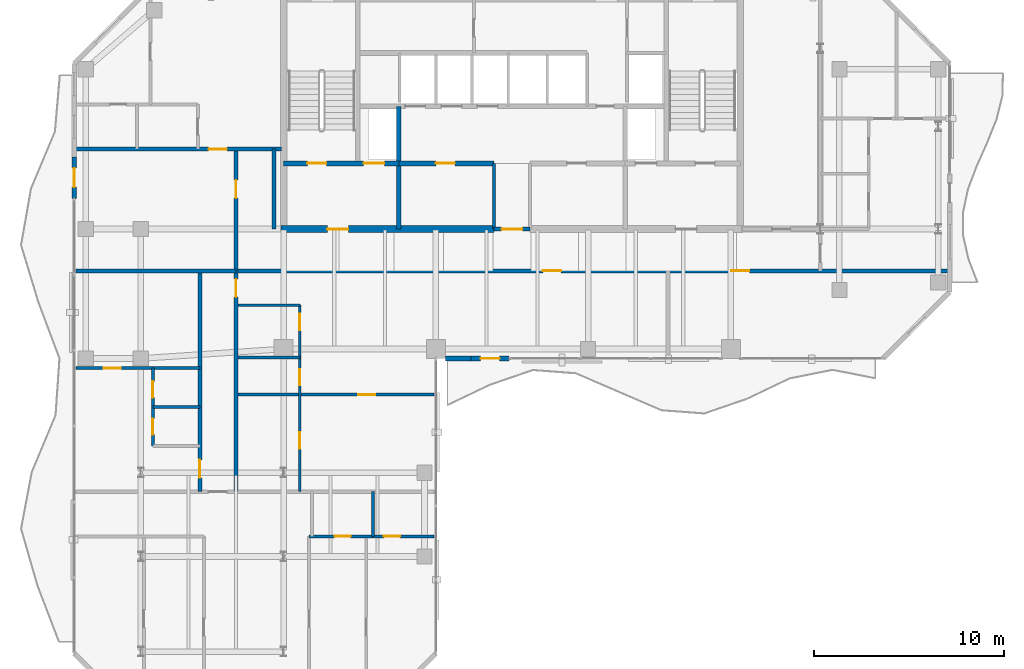
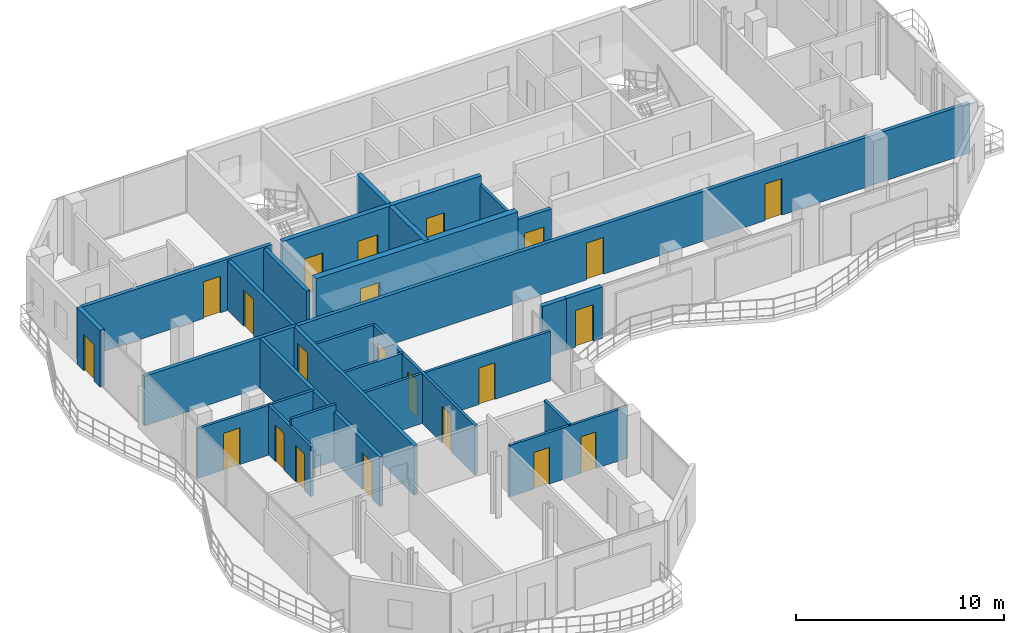
# One storey, part 18 of 23: 24 walls, 22 doors, 22 openings.
"""IFC4 building model written with IfcOpenShell, lengths in metres."""

from ifc_helpers import new_model, si_unit, direction, frame, frame_2d, origin, place, context, subcontext, project, spatial, rectangle, extrude, material, layer, layer_set, type_object, element, fill, save


model = new_model("IFC4")

# Units and contexts
model_context = context("Model", 3, precision=1e-05, world=origin(), true_north=direction((0.0, 1.0)))
body_context = subcontext(model_context, "Body", "Model", "MODEL_VIEW")
ifc_project = project(units=[si_unit("LENGTHUNIT", "METRE"), si_unit("AREAUNIT", "SQUARE_METRE"), si_unit("VOLUMEUNIT", "CUBIC_METRE"), si_unit("PLANEANGLEUNIT", "RADIAN"), si_unit("MASSUNIT", "GRAM", prefix="KILO")], contexts=[model_context])

# Site, building, storey
site_placement = place(None, origin())
site = spatial("IfcSite", under=ifc_project, at=site_placement, CompositionType="ELEMENT")
building_placement = place(site_placement, origin())
building = spatial("IfcBuilding", under=site, at=building_placement, Name="Catumbela Crestline Tower", CompositionType="ELEMENT")
storey_placement = place(building_placement, frame((0.0, 0.0, 168.6)))
storey = spatial("IfcBuildingStorey", under=building, at=storey_placement, Name="L43", CompositionType="ELEMENT", Elevation=168.6)

# Wall
ifc_material_1 = material(Name="Concrete C50/60", Category="concrete")
ifc_layer_1 = layer(ifc_material_1, 0.25, Name="Concrete C50/60")
ifc_layer_set_1 = layer_set([ifc_layer_1], Name="Concrete C50/60")
wall_type_1 = type_object("IfcWallType", Name="CW-250D", PredefinedType="SHEAR", material=ifc_layer_set_1)
wall_1_placement = place(storey_placement, frame((22.05, 30.8, 0.0), z_axis=(0.0, 0.0, 1.0), x_axis=(0.0, 1.0, 0.0)))
element("IfcWall", 1, at=wall_1_placement, inside=storey, type_object=wall_type_1, Name="L43 Structural Core Shear Wall FFW", PredefinedType="SHEAR", context=body_context, shape_type="SweptSolid", body=[
    extrude(rectangle(XDim=6.45, YDim=0.25, at=frame_2d((3.225, 0.0))), origin(), (0.0, 0.0, 1.0), 3.6),
])

# Wall, openings, doors
wall_2_placement = place(storey_placement, frame((16.0, 34.25, 0.0), z_axis=(0.0, 0.0, 1.0), x_axis=(1.0, 0.0, 0.0)))
wall_2 = element("IfcWall", 2, at=wall_2_placement, inside=storey, type_object=wall_type_1, Name="L43 Structural Core Shear Wall ST1S", PredefinedType="SHEAR", context=body_context, shape_type="SweptSolid", body=[
    extrude(rectangle(XDim=6.05, YDim=0.25, at=frame_2d((3.025, 0.0))), origin(), (0.0, 0.0, 1.0), 3.6),
])
opening_1_placement = place(wall_2_placement, frame((1.25, 0.0, 0.0)))
opening_1 = element("IfcOpeningElement", 3, at=opening_1_placement, cuts=wall_2, Name="Opening DF9-100", PredefinedType="OPENING", context=body_context, shape_type="SweptSolid", body=[
    extrude(rectangle(XDim=1.0, YDim=2.15, at=frame_2d((0.5, 1.075))), frame((0.0, 0.135, 0.0), z_axis=(0.0, -1.0, 0.0), x_axis=(1.0, 0.0, 0.0)), (0.0, 0.0, 1.0), 0.27),
])
opening_2_placement = place(wall_2_placement, frame((4.2, 0.0, 0.0)))
opening_2 = element("IfcOpeningElement", 4, at=opening_2_placement, cuts=wall_2, Name="Opening LD-110", PredefinedType="OPENING", context=body_context, shape_type="SweptSolid", body=[
    extrude(rectangle(XDim=1.1, YDim=2.15, at=frame_2d((0.55, 1.075))), frame((0.0, 0.135, 0.0), z_axis=(0.0, -1.0, 0.0), x_axis=(1.0, 0.0, 0.0)), (0.0, 0.0, 1.0), 0.27),
])
ifc_material_2 = material(Name="Stainless steel EN 1.4401", Category="steel")
door_type_1 = type_object("IfcDoorType", Name="DF9-100", OperationType="NOTDEFINED", PredefinedType="DOOR", material=ifc_material_2)
door_1_placement = place(opening_1_placement, origin())
door_1 = element("IfcDoor", 5, at=door_1_placement, inside=storey, type_object=door_type_1, Name="L43 Interior Door DR-L43-ST01", OperationType="SINGLE_SWING_LEFT", OverallHeight=2.15, OverallWidth=1.0, PredefinedType="DOOR", context=body_context, shape_type="SweptSolid", body=[
    extrude(rectangle(XDim=1.0, YDim=2.15, at=frame_2d((0.5, 1.075))), frame((0.0, 0.025, 0.0), z_axis=(0.0, -1.0, 0.0), x_axis=(1.0, 0.0, 0.0)), (0.0, 0.0, 1.0), 0.05),
])
fill(opening_1, door_1)
door_type_2 = type_object("IfcDoorType", Name="LD-110", OperationType="NOTDEFINED", PredefinedType="DOOR", material=ifc_material_2)
door_2_placement = place(opening_2_placement, origin())
door_2 = element("IfcDoor", 6, at=door_2_placement, inside=storey, type_object=door_type_2, Name="L43 Lift Landing Sliding Door FL-01", OperationType="DOUBLE_DOOR_SLIDING", OverallHeight=2.15, OverallWidth=1.1, PredefinedType="DOOR", context=body_context, shape_type="SweptSolid", body=[
    extrude(rectangle(XDim=1.1, YDim=2.15, at=frame_2d((0.55, 1.075))), frame((0.0, 0.025, 0.0), z_axis=(0.0, -1.0, 0.0), x_axis=(1.0, 0.0, 0.0)), (0.0, 0.0, 1.0), 0.05),
])
fill(opening_2, door_2)

# Wall, opening, door
wall_3_placement = place(storey_placement, frame((22.05, 34.25, 0.0), z_axis=(0.0, 0.0, 1.0), x_axis=(1.0, 0.0, 0.0)))
wall_3 = element("IfcWall", 7, at=wall_3_placement, inside=storey, type_object=wall_type_1, Name="L43 Structural Core Shear Wall LIFTS-W", PredefinedType="SHEAR", context=body_context, shape_type="SweptSolid", body=[
    extrude(rectangle(XDim=5.0, YDim=0.25, at=frame_2d((2.5, 0.0))), origin(), (0.0, 0.0, 1.0), 3.6),
])
opening_3_placement = place(wall_3_placement, frame((1.95, 0.0, 0.0)))
opening_3 = element("IfcOpeningElement", 8, at=opening_3_placement, cuts=wall_3, Name="Opening DF9-100", PredefinedType="OPENING", context=body_context, shape_type="SweptSolid", body=[
    extrude(rectangle(XDim=1.0, YDim=2.15, at=frame_2d((0.5, 1.075))), frame((0.0, 0.135, 0.0), z_axis=(0.0, -1.0, 0.0), x_axis=(1.0, 0.0, 0.0)), (0.0, 0.0, 1.0), 0.27),
])
door_3_placement = place(opening_3_placement, origin())
door_3 = element("IfcDoor", 9, at=door_3_placement, inside=storey, type_object=door_type_1, Name="L43 Interior Door DR-L43-RECL1", OperationType="SINGLE_SWING_LEFT", OverallHeight=2.15, OverallWidth=1.0, PredefinedType="DOOR", context=body_context, shape_type="SweptSolid", body=[
    extrude(rectangle(XDim=1.0, YDim=2.15, at=frame_2d((0.5, 1.075))), frame((0.0, 0.025, 0.0), z_axis=(0.0, -1.0, 0.0), x_axis=(1.0, 0.0, 0.0)), (0.0, 0.0, 1.0), 0.05),
])
fill(opening_3, door_3)

ifc_layer_2 = layer(ifc_material_1, 0.35, Name="Concrete C50/60")
ifc_layer_set_2 = layer_set([ifc_layer_2], Name="Concrete C50/60")
wall_type_2 = type_object("IfcWallType", Name="CW-350B", PredefinedType="SHEAR", material=ifc_layer_set_2)
wall_4_placement = place(storey_placement, frame((15.85, 30.8, 0.0), z_axis=(0.0, 0.0, 1.0), x_axis=(1.0, 0.0, 0.0)))
wall_4 = element("IfcWall", 10, at=wall_4_placement, inside=storey, type_object=wall_type_2, Name="L43 Structural Core Shear Wall SW", PredefinedType="SHEAR", context=body_context, shape_type="SweptSolid", body=[
    extrude(rectangle(XDim=11.2, YDim=0.35, at=frame_2d((5.6, 0.0))), origin(), (0.0, 0.0, 1.0), 3.6),
])
opening_4_placement = place(wall_4_placement, frame((2.45, 0.0, 0.0)))
opening_4 = element("IfcOpeningElement", 11, at=opening_4_placement, cuts=wall_4, Name="Opening DF9-110", PredefinedType="OPENING", context=body_context, shape_type="SweptSolid", body=[
    extrude(rectangle(XDim=1.1, YDim=2.15, at=frame_2d((0.55, 1.075))), frame((0.0, 0.185, 0.0), z_axis=(0.0, -1.0, 0.0), x_axis=(1.0, 0.0, 0.0)), (0.0, 0.0, 1.0), 0.37),
])
door_type_3 = type_object("IfcDoorType", Name="DF9-110", OperationType="NOTDEFINED", PredefinedType="DOOR", material=ifc_material_2)
door_4_placement = place(opening_4_placement, origin())
door_4 = element("IfcDoor", 12, at=door_4_placement, inside=storey, type_object=door_type_3, Name="L43 Interior Door DR-L43-FFW-S", OperationType="SINGLE_SWING_LEFT", OverallHeight=2.15, OverallWidth=1.1, PredefinedType="DOOR", context=body_context, shape_type="SweptSolid", body=[
    extrude(rectangle(XDim=1.1, YDim=2.15, at=frame_2d((0.55, 1.075))), frame((0.0, 0.025, 0.0), z_axis=(0.0, -1.0, 0.0), x_axis=(1.0, 0.0, 0.0)), (0.0, 0.0, 1.0), 0.05),
])
fill(opening_4, door_4)

ifc_material_3 = material(Name="Acoustic gypsum and mineral-wool partition")
ifc_layer_3 = layer(ifc_material_3, 0.2, Name="Acoustic gypsum and mineral-wool partition")
ifc_layer_set_3 = layer_set([ifc_layer_3], Name="Acoustic gypsum and mineral-wool partition")
wall_type_3 = type_object("IfcWallType", Name="WC-200", PredefinedType="PARTITIONING", material=ifc_layer_set_3)
wall_5_placement = place(storey_placement, frame((27.05, 30.8, 0.0), z_axis=(0.0, 0.0, 1.0), x_axis=(1.0, 0.0, 0.0)))
wall_5 = element("IfcWall", 13, at=wall_5_placement, inside=storey, type_object=wall_type_3, Name="L43 Interior Partition PW-L43-CLOBS", PredefinedType="PARTITIONING", context=body_context, shape_type="SweptSolid", body=[
    extrude(rectangle(XDim=1.9, YDim=0.2, at=frame_2d((0.95, 0.0))), origin(), (0.0, 0.0, 1.0), 3.07),
])
opening_5_placement = place(wall_5_placement, frame((0.4, 0.0, 0.0)))
opening_5 = element("IfcOpeningElement", 14, at=opening_5_placement, cuts=wall_5, Name="Opening DF9-110", PredefinedType="OPENING", context=body_context, shape_type="SweptSolid", body=[
    extrude(rectangle(XDim=1.1, YDim=2.15, at=frame_2d((0.55, 1.075))), frame((0.0, 0.11, 0.0), z_axis=(0.0, -1.0, 0.0), x_axis=(1.0, 0.0, 0.0)), (0.0, 0.0, 1.0), 0.22),
])
door_5_placement = place(opening_5_placement, origin())
door_5 = element("IfcDoor", 15, at=door_5_placement, inside=storey, type_object=door_type_3, Name="L43 Interior Door DR-L43-CLOBS", OperationType="SINGLE_SWING_LEFT", OverallHeight=2.15, OverallWidth=1.1, PredefinedType="DOOR", context=body_context, shape_type="SweptSolid", body=[
    extrude(rectangle(XDim=1.1, YDim=2.15, at=frame_2d((0.55, 1.075))), frame((0.0, 0.025, 0.0), z_axis=(0.0, -1.0, 0.0), x_axis=(1.0, 0.0, 0.0)), (0.0, 0.0, 1.0), 0.05),
])
fill(opening_5, door_5)

# Wall, openings, doors
wall_6_placement = place(storey_placement, frame((13.6, 28.6, 0.0), z_axis=(0.0, 0.0, 1.0), x_axis=(1.0, 0.0, 0.0)))
wall_6 = element("IfcWall", 16, at=wall_6_placement, inside=storey, type_object=wall_type_3, Name="L43 Interior Partition PW-L43-RCWR", PredefinedType="PARTITIONING", context=body_context, shape_type="SweptSolid", body=[
    extrude(rectangle(XDim=37.3, YDim=0.2, at=frame_2d((18.65, 0.0))), origin(), (0.0, 0.0, 1.0), 2.92),
])
opening_6_placement = place(wall_6_placement, frame((16.025, 0.0, 0.0)))
opening_6 = element("IfcOpeningElement", 17, at=opening_6_placement, cuts=wall_6, Name="Opening DF6-095", PredefinedType="OPENING", context=body_context, shape_type="SweptSolid", body=[
    extrude(rectangle(XDim=0.95, YDim=2.15, at=frame_2d((0.475, 1.075))), frame((0.0, 0.11, 0.0), z_axis=(0.0, -1.0, 0.0), x_axis=(1.0, 0.0, 0.0)), (0.0, 0.0, 1.0), 0.22),
])
opening_7_placement = place(wall_6_placement, frame((25.925, 0.0, 0.0)))
opening_7 = element("IfcOpeningElement", 18, at=opening_7_placement, cuts=wall_6, Name="Opening DF6-095", PredefinedType="OPENING", context=body_context, shape_type="SweptSolid", body=[
    extrude(rectangle(XDim=0.95, YDim=2.15, at=frame_2d((0.475, 1.075))), frame((0.0, 0.11, 0.0), z_axis=(0.0, -1.0, 0.0), x_axis=(1.0, 0.0, 0.0)), (0.0, 0.0, 1.0), 0.22),
])
ifc_material_4 = material(Name="Aluminium alloy AW-6060-T66", Category="aluminium")
door_type_4 = type_object("IfcDoorType", Name="DF6-095", OperationType="NOTDEFINED", PredefinedType="DOOR", material=ifc_material_4)
door_6_placement = place(opening_6_placement, origin())
door_6 = element("IfcDoor", 19, at=door_6_placement, inside=storey, type_object=door_type_4, Name="L43 Interior Door DR-L43-Z3G11-ENT", OperationType="SINGLE_SWING_LEFT", OverallHeight=2.15, OverallWidth=0.95, PredefinedType="DOOR", context=body_context, shape_type="SweptSolid", body=[
    extrude(rectangle(XDim=0.95, YDim=2.15, at=frame_2d((0.475, 1.075))), frame((0.0, 0.025, 0.0), z_axis=(0.0, -1.0, 0.0), x_axis=(1.0, 0.0, 0.0)), (0.0, 0.0, 1.0), 0.05),
])
fill(opening_6, door_6)
door_7_placement = place(opening_7_placement, origin())
door_7 = element("IfcDoor", 20, at=door_7_placement, inside=storey, type_object=door_type_4, Name="L43 Interior Door DR-L43-Z3G12-ENT", OperationType="SINGLE_SWING_RIGHT", OverallHeight=2.15, OverallWidth=0.95, PredefinedType="DOOR", context=body_context, shape_type="SweptSolid", body=[
    extrude(rectangle(XDim=0.95, YDim=2.15, at=frame_2d((0.475, 1.075))), frame((0.0, 0.025, 0.0), z_axis=(0.0, -1.0, 0.0), x_axis=(1.0, 0.0, 0.0)), (0.0, 0.0, 1.0), 0.05),
])
fill(opening_7, door_7)

# Wall
wall_7_placement = place(storey_placement, frame((15.5, 30.8, 0.0), z_axis=(0.0, 0.0, 1.0), x_axis=(0.0, 1.0, 0.0)))
element("IfcWall", 21, at=wall_7_placement, inside=storey, type_object=wall_type_3, Name="L43 Interior Partition PW-L43-NWFYE", PredefinedType="PARTITIONING", context=body_context, shape_type="SweptSolid", body=[
    extrude(rectangle(XDim=4.2, YDim=0.2, at=frame_2d((2.1, 0.0))), origin(), (0.0, 0.0, 1.0), 2.92),
])

# Wall, openings, doors
wall_8_placement = place(storey_placement, frame((13.5, 17.0, 0.0), z_axis=(0.0, 0.0, 1.0), x_axis=(0.0, 1.0, 0.0)))
wall_8 = element("IfcWall", 22, at=wall_8_placement, inside=storey, type_object=wall_type_3, Name="L43 Interior Partition PW-L43-NWAM-ENT", PredefinedType="PARTITIONING", context=body_context, shape_type="SweptSolid", body=[
    extrude(rectangle(XDim=18.0, YDim=0.2, at=frame_2d((9.0, 0.0))), origin(), (0.0, 0.0, 1.0), 2.92),
])
opening_8_placement = place(wall_8_placement, frame((15.425, 0.0, 0.0)))
opening_8 = element("IfcOpeningElement", 23, at=opening_8_placement, cuts=wall_8, Name="Opening DF6-095", PredefinedType="OPENING", context=body_context, shape_type="SweptSolid", body=[
    extrude(rectangle(XDim=0.95, YDim=2.15, at=frame_2d((0.475, 1.075))), frame((0.0, 0.11, 0.0), z_axis=(0.0, -1.0, 0.0), x_axis=(1.0, 0.0, 0.0)), (0.0, 0.0, 1.0), 0.22),
])
opening_9_placement = place(wall_8_placement, frame((10.225, 0.0, 0.0)))
opening_9 = element("IfcOpeningElement", 24, at=opening_9_placement, cuts=wall_8, Name="Opening DF6-095", PredefinedType="OPENING", context=body_context, shape_type="SweptSolid", body=[
    extrude(rectangle(XDim=0.95, YDim=2.15, at=frame_2d((0.475, 1.075))), frame((0.0, 0.11, 0.0), z_axis=(0.0, -1.0, 0.0), x_axis=(1.0, 0.0, 0.0)), (0.0, 0.0, 1.0), 0.22),
])
door_8_placement = place(opening_8_placement, origin())
door_8 = element("IfcDoor", 25, at=door_8_placement, inside=storey, type_object=door_type_4, Name="L43 Interior Door DR-L43-NWAM-ENT", OperationType="SINGLE_SWING_RIGHT", OverallHeight=2.15, OverallWidth=0.95, PredefinedType="DOOR", context=body_context, shape_type="SweptSolid", body=[
    extrude(rectangle(XDim=0.95, YDim=2.15, at=frame_2d((0.475, 1.075))), frame((0.0, 0.025, 0.0), z_axis=(0.0, -1.0, 0.0), x_axis=(1.0, 0.0, 0.0)), (0.0, 0.0, 1.0), 0.05),
])
fill(opening_8, door_8)
door_9_placement = place(opening_9_placement, origin())
door_9 = element("IfcDoor", 26, at=door_9_placement, inside=storey, type_object=door_type_4, Name="L43 Interior Door DR-L43-WR1-ENT", OperationType="SINGLE_SWING_LEFT", OverallHeight=2.15, OverallWidth=0.95, PredefinedType="DOOR", context=body_context, shape_type="SweptSolid", body=[
    extrude(rectangle(XDim=0.95, YDim=2.15, at=frame_2d((0.475, 1.075))), frame((0.0, 0.025, 0.0), z_axis=(0.0, -1.0, 0.0), x_axis=(1.0, 0.0, 0.0)), (0.0, 0.0, 1.0), 0.05),
])
fill(opening_9, door_9)

# Wall, opening, door
wall_9_placement = place(storey_placement, frame((5.1, 35.0, 0.0), z_axis=(0.0, 0.0, 1.0), x_axis=(1.0, 0.0, 0.0)))
wall_9 = element("IfcWall", 27, at=wall_9_placement, inside=storey, type_object=wall_type_3, Name="L43 Interior Partition PW-L43-NW1-ENT", PredefinedType="PARTITIONING", context=body_context, shape_type="SweptSolid", body=[
    extrude(rectangle(XDim=10.8, YDim=0.2, at=frame_2d((5.4, 0.0))), origin(), (0.0, 0.0, 1.0), 3.02),
])
opening_10_placement = place(wall_9_placement, frame((6.9644, 0.0, 0.0)))
opening_10 = element("IfcOpeningElement", 28, at=opening_10_placement, cuts=wall_9, Name="Opening DF6-095", PredefinedType="OPENING", context=body_context, shape_type="SweptSolid", body=[
    extrude(rectangle(XDim=0.95, YDim=2.15, at=frame_2d((0.475, 1.075))), frame((0.0, 0.11, 0.0), z_axis=(0.0, -1.0, 0.0), x_axis=(1.0, 0.0, 0.0)), (0.0, 0.0, 1.0), 0.22),
])
door_10_placement = place(opening_10_placement, origin())
door_10 = element("IfcDoor", 29, at=door_10_placement, inside=storey, type_object=door_type_4, Name="L43 Interior Door DR-L43-NW1-ENT", OperationType="SINGLE_SWING_LEFT", OverallHeight=2.15, OverallWidth=0.95, PredefinedType="DOOR", context=body_context, shape_type="SweptSolid", body=[
    extrude(rectangle(XDim=0.95, YDim=2.15, at=frame_2d((0.475, 1.075))), frame((0.0, 0.025, 0.0), z_axis=(0.0, -1.0, 0.0), x_axis=(1.0, 0.0, 0.0)), (0.0, 0.0, 1.0), 0.05),
])
fill(opening_10, door_10)

wall_10_placement = place(storey_placement, frame((11.6, 17.0, 0.0), z_axis=(0.0, 0.0, 1.0), x_axis=(0.0, 1.0, 0.0)))
wall_10 = element("IfcWall", 30, at=wall_10_placement, inside=storey, type_object=wall_type_3, Name="L43 Interior Partition PW-L43-WL1-ENT", PredefinedType="PARTITIONING", context=body_context, shape_type="SweptSolid", body=[
    extrude(rectangle(XDim=11.6, YDim=0.2, at=frame_2d((5.8, 0.0))), origin(), (0.0, 0.0, 1.0), 2.92),
])
opening_11_placement = place(wall_10_placement, frame((0.723, 0.0, 0.0)))
opening_11 = element("IfcOpeningElement", 31, at=opening_11_placement, cuts=wall_10, Name="Opening DF6-095", PredefinedType="OPENING", context=body_context, shape_type="SweptSolid", body=[
    extrude(rectangle(XDim=0.95, YDim=2.15, at=frame_2d((0.475, 1.075))), frame((0.0, 0.11, 0.0), z_axis=(0.0, -1.0, 0.0), x_axis=(1.0, 0.0, 0.0)), (0.0, 0.0, 1.0), 0.22),
])
door_11_placement = place(opening_11_placement, origin())
door_11 = element("IfcDoor", 32, at=door_11_placement, inside=storey, type_object=door_type_4, Name="L43 Interior Door DR-L43-WL1-ENT", OperationType="SINGLE_SWING_LEFT", OverallHeight=2.15, OverallWidth=0.95, PredefinedType="DOOR", context=body_context, shape_type="SweptSolid", body=[
    extrude(rectangle(XDim=0.95, YDim=2.15, at=frame_2d((0.475, 1.075))), frame((0.0, 0.025, 0.0), z_axis=(0.0, -1.0, 0.0), x_axis=(1.0, 0.0, 0.0)), (0.0, 0.0, 1.0), 0.05),
])
fill(opening_11, door_11)

ifc_material_5 = material(Name="Angolan grey-ochre granite", Category="masonry")
ifc_layer_4 = layer(ifc_material_5, 0.25, Name="Angolan grey-ochre granite")
ifc_layer_set_4 = layer_set([ifc_layer_4], Name="Angolan grey-ochre granite")
wall_type_4 = type_object("IfcWallType", Name="WE-250", PredefinedType="STANDARD", material=ifc_layer_set_4)
wall_11_placement = place(storey_placement, frame((25.85, 24.0, 0.0), z_axis=(0.0, 0.0, 1.0), x_axis=(1.0, 0.0, 0.0)))
wall_11 = element("IfcWall", 33, at=wall_11_placement, inside=storey, type_object=wall_type_4, Name="L43 Exterior Threshold Portal Wall DR-L43-WBAL-1", PredefinedType="STANDARD", context=body_context, shape_type="SweptSolid", body=[
    extrude(rectangle(XDim=2.0, YDim=0.25, at=frame_2d((1.0, 0.0))), origin(), (0.0, 0.0, 1.0), 3.02),
])
opening_12_placement = place(wall_11_placement, frame((0.5, 0.0, 0.0)))
opening_12 = element("IfcOpeningElement", 34, at=opening_12_placement, cuts=wall_11, Name="Opening DB-L43-1", PredefinedType="OPENING", context=body_context, shape_type="SweptSolid", body=[
    extrude(rectangle(XDim=1.0, YDim=2.15, at=frame_2d((0.5, 1.075))), frame((0.0, 0.135, 0.0), z_axis=(0.0, -1.0, 0.0), x_axis=(1.0, 0.0, 0.0)), (0.0, 0.0, 1.0), 0.27),
])
door_type_5 = type_object("IfcDoorType", Name="DB-1000", OperationType="NOTDEFINED", PredefinedType="DOOR", material=ifc_material_4)
door_12_placement = place(opening_12_placement, origin())
door_12 = element("IfcDoor", 35, at=door_12_placement, inside=storey, type_object=door_type_5, Name="L43 Wave Balcony Terrace Door 1", OperationType="SINGLE_SWING_LEFT", OverallHeight=2.15, OverallWidth=1.0, PredefinedType="DOOR", context=body_context, shape_type="SweptSolid", body=[
    extrude(rectangle(XDim=1.0, YDim=2.15, at=frame_2d((0.5, 1.075))), frame((0.0, 0.025, 0.0), z_axis=(0.0, -1.0, 0.0), x_axis=(1.0, 0.0, 0.0)), (0.0, 0.0, 1.0), 0.05),
])
fill(opening_12, door_12)

# Wall
wall_12_placement = place(storey_placement, frame((24.5, 24.0, 0.0), z_axis=(0.0, 0.0, 1.0), x_axis=(1.0, 0.0, 0.0)))
element("IfcWall", 36, at=wall_12_placement, inside=storey, type_object=wall_type_4, Name="L43 Granite Punched Window Wall 3-1", PredefinedType="STANDARD", context=body_context, shape_type="SweptSolid", body=[
    extrude(rectangle(XDim=1.35, YDim=0.25, at=frame_2d((0.675, 0.0))), origin(), (0.0, 0.0, 1.0), 3.02),
])

# Wall, opening, door
wall_13_placement = place(storey_placement, frame((5.0, 34.6, 0.0), z_axis=(0.0, 0.0, 1.0), x_axis=(0.0, -1.0, 0.0)))
wall_13 = element("IfcWall", 37, at=wall_13_placement, inside=storey, type_object=wall_type_4, Name="L43 Exterior Threshold Portal Wall DR-L43-WBAL-4", PredefinedType="STANDARD", context=body_context, shape_type="SweptSolid", body=[
    extrude(rectangle(XDim=2.2, YDim=0.25, at=frame_2d((1.1, 0.0))), origin(), (0.0, 0.0, 1.0), 3.33),
])
opening_13_placement = place(wall_13_placement, frame((0.6, 0.0, 0.0)))
opening_13 = element("IfcOpeningElement", 38, at=opening_13_placement, cuts=wall_13, Name="Opening DB-L43-4", PredefinedType="OPENING", context=body_context, shape_type="SweptSolid", body=[
    extrude(rectangle(XDim=1.0, YDim=2.15, at=frame_2d((0.5, 1.075))), frame((0.0, 0.135, 0.0), z_axis=(0.0, -1.0, 0.0), x_axis=(1.0, 0.0, 0.0)), (0.0, 0.0, 1.0), 0.27),
])
door_13_placement = place(opening_13_placement, origin())
door_13 = element("IfcDoor", 39, at=door_13_placement, inside=storey, type_object=door_type_5, Name="L43 Wave Balcony Terrace Door 4", OperationType="SINGLE_SWING_RIGHT", OverallHeight=2.15, OverallWidth=1.0, PredefinedType="DOOR", context=body_context, shape_type="SweptSolid", body=[
    extrude(rectangle(XDim=1.0, YDim=2.15, at=frame_2d((0.5, 1.075))), frame((0.0, 0.025, 0.0), z_axis=(0.0, -1.0, 0.0), x_axis=(1.0, 0.0, 0.0)), (0.0, 0.0, 1.0), 0.05),
])
fill(opening_13, door_13)

# Wall
ifc_layer_5 = layer(ifc_material_3, 0.15, Name="Acoustic gypsum and mineral-wool partition")
ifc_layer_set_5 = layer_set([ifc_layer_5], Name="Acoustic gypsum and mineral-wool partition")
wall_type_5 = type_object("IfcWallType", Name="WP-150", PredefinedType="PARTITIONING", material=ifc_layer_set_5)
wall_14_placement = place(storey_placement, frame((9.13, 21.446, 0.0), z_axis=(0.0, 0.0, 1.0), x_axis=(1.0, 0.0, 0.0)))
element("IfcWall", 40, at=wall_14_placement, inside=storey, type_object=wall_type_5, Name="L43 Interior Partition PW-L43-WL1-KBM", PredefinedType="PARTITIONING", context=body_context, shape_type="SweptSolid", body=[
    extrude(rectangle(XDim=2.47, YDim=0.15, at=frame_2d((1.235, 0.0))), origin(), (0.0, 0.0, 1.0), 3.33),
])

# Wall, opening, door
wall_15_placement = place(storey_placement, frame((5.1, 23.496, 0.0), z_axis=(0.0, 0.0, 1.0), x_axis=(1.0, 0.0, 0.0)))
wall_15 = element("IfcWall", 41, at=wall_15_placement, inside=storey, type_object=wall_type_5, Name="L43 Interior Partition PW-L43-WL1-KBN", PredefinedType="PARTITIONING", context=body_context, shape_type="SweptSolid", body=[
    extrude(rectangle(XDim=6.5, YDim=0.15, at=frame_2d((3.25, 0.0))), origin(), (0.0, 0.0, 1.0), 2.92),
])
opening_14_placement = place(wall_15_placement, frame((1.4533, 0.0, 0.0)))
opening_14 = element("IfcOpeningElement", 42, at=opening_14_placement, cuts=wall_15, Name="Opening DI-090", PredefinedType="OPENING", context=body_context, shape_type="SweptSolid", body=[
    extrude(rectangle(XDim=0.9, YDim=2.15, at=frame_2d((0.45, 1.075))), frame((0.0, 0.085, 0.0), z_axis=(0.0, -1.0, 0.0), x_axis=(1.0, 0.0, 0.0)), (0.0, 0.0, 1.0), 0.17),
])
door_type_6 = type_object("IfcDoorType", Name="DI-090", OperationType="NOTDEFINED", PredefinedType="DOOR", material=ifc_material_4)
door_14_placement = place(opening_14_placement, origin())
door_14 = element("IfcDoor", 43, at=door_14_placement, inside=storey, type_object=door_type_6, Name="L43 Interior Door DR-L43-WL1-BD1", OperationType="SINGLE_SWING_RIGHT", OverallHeight=2.15, OverallWidth=0.9, PredefinedType="DOOR", context=body_context, shape_type="SweptSolid", body=[
    extrude(rectangle(XDim=0.9, YDim=2.15, at=frame_2d((0.45, 1.075))), frame((0.0, 0.025, 0.0), z_axis=(0.0, -1.0, 0.0), x_axis=(1.0, 0.0, 0.0)), (0.0, 0.0, 1.0), 0.05),
])
fill(opening_14, door_14)

# Wall, openings, doors
wall_16_placement = place(storey_placement, frame((9.13, 19.396, 0.0), z_axis=(0.0, 0.0, 1.0), x_axis=(0.0, 1.0, 0.0)))
wall_16 = element("IfcWall", 44, at=wall_16_placement, inside=storey, type_object=wall_type_5, Name="L43 Interior Partition PW-L43-WL1-LK", PredefinedType="PARTITIONING", context=body_context, shape_type="SweptSolid", body=[
    extrude(rectangle(XDim=4.1, YDim=0.15, at=frame_2d((2.05, 0.0))), origin(), (0.0, 0.0, 1.0), 2.92),
])
opening_15_placement = place(wall_16_placement, frame((0.6, 0.0, 0.0)))
opening_15 = element("IfcOpeningElement", 45, at=opening_15_placement, cuts=wall_16, Name="Opening DI-085", PredefinedType="OPENING", context=body_context, shape_type="SweptSolid", body=[
    extrude(rectangle(XDim=0.85, YDim=2.15, at=frame_2d((0.425, 1.075))), frame((0.0, 0.085, 0.0), z_axis=(0.0, -1.0, 0.0), x_axis=(1.0, 0.0, 0.0)), (0.0, 0.0, 1.0), 0.17),
])
opening_16_placement = place(wall_16_placement, frame((2.5529, 0.0, 0.0)))
opening_16 = element("IfcOpeningElement", 46, at=opening_16_placement, cuts=wall_16, Name="Opening DI-085", PredefinedType="OPENING", context=body_context, shape_type="SweptSolid", body=[
    extrude(rectangle(XDim=0.85, YDim=2.15, at=frame_2d((0.425, 1.075))), frame((0.0, 0.085, 0.0), z_axis=(0.0, -1.0, 0.0), x_axis=(1.0, 0.0, 0.0)), (0.0, 0.0, 1.0), 0.17),
])
door_type_7 = type_object("IfcDoorType", Name="DI-085", OperationType="NOTDEFINED", PredefinedType="DOOR", material=ifc_material_4)
door_15_placement = place(opening_15_placement, origin())
door_15 = element("IfcDoor", 47, at=door_15_placement, inside=storey, type_object=door_type_7, Name="L43 Interior Door DR-L43-WL1-KIT", OperationType="SINGLE_SWING_LEFT", OverallHeight=2.15, OverallWidth=0.85, PredefinedType="DOOR", context=body_context, shape_type="SweptSolid", body=[
    extrude(rectangle(XDim=0.85, YDim=2.15, at=frame_2d((0.425, 1.075))), frame((0.0, 0.025, 0.0), z_axis=(0.0, -1.0, 0.0), x_axis=(1.0, 0.0, 0.0)), (0.0, 0.0, 1.0), 0.05),
])
fill(opening_15, door_15)
door_16_placement = place(opening_16_placement, origin())
door_16 = element("IfcDoor", 48, at=door_16_placement, inside=storey, type_object=door_type_7, Name="L43 Interior Door DR-L43-WL1-BTH", OperationType="SINGLE_SWING_LEFT", OverallHeight=2.15, OverallWidth=0.85, PredefinedType="DOOR", context=body_context, shape_type="SweptSolid", body=[
    extrude(rectangle(XDim=0.85, YDim=2.15, at=frame_2d((0.425, 1.075))), frame((0.0, 0.025, 0.0), z_axis=(0.0, -1.0, 0.0), x_axis=(1.0, 0.0, 0.0)), (0.0, 0.0, 1.0), 0.05),
])
fill(opening_16, door_16)

# Wall, opening, door
wall_17_placement = place(storey_placement, frame((13.6, 22.104, 0.0), z_axis=(0.0, 0.0, 1.0), x_axis=(1.0, 0.0, 0.0)))
wall_17 = element("IfcWall", 49, at=wall_17_placement, inside=storey, type_object=wall_type_5, Name="L43 Interior Partition PW-L43-WR1-KBS", PredefinedType="PARTITIONING", context=body_context, shape_type="SweptSolid", body=[
    extrude(rectangle(XDim=10.3, YDim=0.15, at=frame_2d((5.15, 0.0))), origin(), (0.0, 0.0, 1.0), 2.92),
])
opening_17_placement = place(wall_17_placement, frame((6.325, 0.0, 0.0)))
opening_17 = element("IfcOpeningElement", 50, at=opening_17_placement, cuts=wall_17, Name="Opening DI-090", PredefinedType="OPENING", context=body_context, shape_type="SweptSolid", body=[
    extrude(rectangle(XDim=0.9, YDim=2.15, at=frame_2d((0.45, 1.075))), frame((0.0, 0.085, 0.0), z_axis=(0.0, -1.0, 0.0), x_axis=(1.0, 0.0, 0.0)), (0.0, 0.0, 1.0), 0.17),
])
door_17_placement = place(opening_17_placement, origin())
door_17 = element("IfcDoor", 51, at=door_17_placement, inside=storey, type_object=door_type_6, Name="L43 Interior Door DR-L43-WR1-BD1", OperationType="SINGLE_SWING_LEFT", OverallHeight=2.15, OverallWidth=0.9, PredefinedType="DOOR", context=body_context, shape_type="SweptSolid", body=[
    extrude(rectangle(XDim=0.9, YDim=2.15, at=frame_2d((0.45, 1.075))), frame((0.0, 0.025, 0.0), z_axis=(0.0, -1.0, 0.0), x_axis=(1.0, 0.0, 0.0)), (0.0, 0.0, 1.0), 0.05),
])
fill(opening_17, door_17)

# Walls
for number, where, z_axis, x_axis, name in (
    (52, (13.6, 24.054, 0.0), (0.0, 0.0, 1.0), (1.0, 0.0, 0.0), "L43 Interior Partition PW-L43-WR1-KBM"),
    (53, (13.6, 26.8, 0.0), (0.0, 0.0, 1.0), (1.0, 0.0, 0.0), "L43 Interior Partition PW-L43-WR1-KBN"),
):
    element("IfcWall", number, at=place(storey_placement, frame(where, z_axis=z_axis, x_axis=x_axis)), inside=storey, type_object=wall_type_5, Name=name, PredefinedType="PARTITIONING", context=body_context, shape_type="SweptSolid", body=[
        extrude(rectangle(XDim=3.25, YDim=0.15, at=frame_2d((1.625, 0.0))), origin(), (0.0, 0.0, 1.0), 2.92),
    ])

# Wall, openings, doors
wall_18_placement = place(storey_placement, frame((16.85, 17.0, 0.0), z_axis=(0.0, 0.0, 1.0), x_axis=(0.0, 1.0, 0.0)))
wall_18 = element("IfcWall", 54, at=wall_18_placement, inside=storey, type_object=wall_type_5, Name="L43 Interior Partition PW-L43-WR1-LB", PredefinedType="PARTITIONING", context=body_context, shape_type="SweptSolid", body=[
    extrude(rectangle(XDim=9.8, YDim=0.15, at=frame_2d((4.9, 0.0))), origin(), (0.0, 0.0, 1.0), 2.92),
])
opening_18_placement = place(wall_18_placement, frame((5.5983, 0.0, 0.0)))
opening_18 = element("IfcOpeningElement", 55, at=opening_18_placement, cuts=wall_18, Name="Opening DI-085", PredefinedType="OPENING", context=body_context, shape_type="SweptSolid", body=[
    extrude(rectangle(XDim=0.85, YDim=2.15, at=frame_2d((0.425, 1.075))), frame((0.0, 0.085, 0.0), z_axis=(0.0, -1.0, 0.0), x_axis=(1.0, 0.0, 0.0)), (0.0, 0.0, 1.0), 0.17),
])
opening_19_placement = place(wall_18_placement, frame((8.4963, 0.0, 0.0)))
opening_19 = element("IfcOpeningElement", 56, at=opening_19_placement, cuts=wall_18, Name="Opening DI-085", PredefinedType="OPENING", context=body_context, shape_type="SweptSolid", body=[
    extrude(rectangle(XDim=0.85, YDim=2.15, at=frame_2d((0.425, 1.075))), frame((0.0, 0.085, 0.0), z_axis=(0.0, -1.0, 0.0), x_axis=(1.0, 0.0, 0.0)), (0.0, 0.0, 1.0), 0.17),
])
opening_20_placement = place(wall_18_placement, frame((2.2684, 0.0, 0.0)))
opening_20 = element("IfcOpeningElement", 57, at=opening_20_placement, cuts=wall_18, Name="Opening DI-085", PredefinedType="OPENING", context=body_context, shape_type="SweptSolid", body=[
    extrude(rectangle(XDim=0.85, YDim=2.15, at=frame_2d((0.425, 1.075))), frame((0.0, 0.085, 0.0), z_axis=(0.0, -1.0, 0.0), x_axis=(1.0, 0.0, 0.0)), (0.0, 0.0, 1.0), 0.17),
])
door_18_placement = place(opening_18_placement, origin())
door_18 = element("IfcDoor", 58, at=door_18_placement, inside=storey, type_object=door_type_7, Name="L43 Interior Door DR-L43-WR1-BTH", OperationType="SINGLE_SWING_LEFT", OverallHeight=2.15, OverallWidth=0.85, PredefinedType="DOOR", context=body_context, shape_type="SweptSolid", body=[
    extrude(rectangle(XDim=0.85, YDim=2.15, at=frame_2d((0.425, 1.075))), frame((0.0, 0.025, 0.0), z_axis=(0.0, -1.0, 0.0), x_axis=(1.0, 0.0, 0.0)), (0.0, 0.0, 1.0), 0.05),
])
fill(opening_18, door_18)
door_19_placement = place(opening_19_placement, origin())
door_19 = element("IfcDoor", 59, at=door_19_placement, inside=storey, type_object=door_type_7, Name="L43 Interior Door DR-L43-WR1-KIT", OperationType="SINGLE_SWING_RIGHT", OverallHeight=2.15, OverallWidth=0.85, PredefinedType="DOOR", context=body_context, shape_type="SweptSolid", body=[
    extrude(rectangle(XDim=0.85, YDim=2.15, at=frame_2d((0.425, 1.075))), frame((0.0, 0.025, 0.0), z_axis=(0.0, -1.0, 0.0), x_axis=(1.0, 0.0, 0.0)), (0.0, 0.0, 1.0), 0.05),
])
fill(opening_19, door_19)
door_20_placement = place(opening_20_placement, origin())
door_20 = element("IfcDoor", 60, at=door_20_placement, inside=storey, type_object=door_type_7, Name="L43 Interior Door DR-L43-WR1-WIR", OperationType="SINGLE_SWING_LEFT", OverallHeight=2.15, OverallWidth=0.85, PredefinedType="DOOR", context=body_context, shape_type="SweptSolid", body=[
    extrude(rectangle(XDim=0.85, YDim=2.15, at=frame_2d((0.425, 1.075))), frame((0.0, 0.025, 0.0), z_axis=(0.0, -1.0, 0.0), x_axis=(1.0, 0.0, 0.0)), (0.0, 0.0, 1.0), 0.05),
])
fill(opening_20, door_20)

# Wall
wall_19_placement = place(storey_placement, frame((20.7, 14.65, 0.0), z_axis=(0.0, 0.0, 1.0), x_axis=(0.0, 1.0, 0.0)))
element("IfcWall", 61, at=wall_19_placement, inside=storey, type_object=wall_type_5, Name="L43 Interior Partition PW-L43-SH1-KBM", PredefinedType="PARTITIONING", context=body_context, shape_type="SweptSolid", body=[
    extrude(rectangle(XDim=2.35, YDim=0.15, at=frame_2d((1.175, 0.0))), origin(), (0.0, 0.0, 1.0), 3.07),
])

# Wall, openings, doors
wall_20_placement = place(storey_placement, frame((17.34, 14.65, 0.0), z_axis=(0.0, 0.0, 1.0), x_axis=(1.0, 0.0, 0.0)))
wall_20 = element("IfcWall", 62, at=wall_20_placement, inside=storey, type_object=wall_type_5, Name="L43 Interior Partition PW-L43-SH1-KBD1", PredefinedType="PARTITIONING", context=body_context, shape_type="SweptSolid", body=[
    extrude(rectangle(XDim=6.56, YDim=0.15, at=frame_2d((3.28, 0.0))), origin(), (0.0, 0.0, 1.0), 3.02),
])
opening_21_placement = place(wall_20_placement, frame((1.335, 0.0, 0.0)))
opening_21 = element("IfcOpeningElement", 63, at=opening_21_placement, cuts=wall_20, Name="Opening DI-085", PredefinedType="OPENING", context=body_context, shape_type="SweptSolid", body=[
    extrude(rectangle(XDim=0.85, YDim=2.15, at=frame_2d((0.425, 1.075))), frame((0.0, 0.085, 0.0), z_axis=(0.0, -1.0, 0.0), x_axis=(1.0, 0.0, 0.0)), (0.0, 0.0, 1.0), 0.17),
])
opening_22_placement = place(wall_20_placement, frame((3.9305, 0.0, 0.0)))
opening_22 = element("IfcOpeningElement", 64, at=opening_22_placement, cuts=wall_20, Name="Opening DI-085", PredefinedType="OPENING", context=body_context, shape_type="SweptSolid", body=[
    extrude(rectangle(XDim=0.85, YDim=2.15, at=frame_2d((0.425, 1.075))), frame((0.0, 0.085, 0.0), z_axis=(0.0, -1.0, 0.0), x_axis=(1.0, 0.0, 0.0)), (0.0, 0.0, 1.0), 0.17),
])
door_21_placement = place(opening_21_placement, origin())
door_21 = element("IfcDoor", 65, at=door_21_placement, inside=storey, type_object=door_type_7, Name="L43 Interior Door DR-L43-SH1-BTH", OperationType="SINGLE_SWING_LEFT", OverallHeight=2.15, OverallWidth=0.85, PredefinedType="DOOR", context=body_context, shape_type="SweptSolid", body=[
    extrude(rectangle(XDim=0.85, YDim=2.15, at=frame_2d((0.425, 1.075))), frame((0.0, 0.025, 0.0), z_axis=(0.0, -1.0, 0.0), x_axis=(1.0, 0.0, 0.0)), (0.0, 0.0, 1.0), 0.05),
])
fill(opening_21, door_21)
door_22_placement = place(opening_22_placement, origin())
door_22 = element("IfcDoor", 66, at=door_22_placement, inside=storey, type_object=door_type_7, Name="L43 Interior Door DR-L43-SH1-KIT", OperationType="SINGLE_SWING_RIGHT", OverallHeight=2.15, OverallWidth=0.85, PredefinedType="DOOR", context=body_context, shape_type="SweptSolid", body=[
    extrude(rectangle(XDim=0.85, YDim=2.15, at=frame_2d((0.425, 1.075))), frame((0.0, 0.025, 0.0), z_axis=(0.0, -1.0, 0.0), x_axis=(1.0, 0.0, 0.0)), (0.0, 0.0, 1.0), 0.05),
])
fill(opening_22, door_22)

# Walls
ifc_layer_6 = layer(ifc_material_3, 0.2, Name="Acoustic gypsum and mineral-wool partition")
ifc_layer_set_6 = layer_set([ifc_layer_6], Name="Acoustic gypsum and mineral-wool partition")
wall_type_6 = type_object("IfcWallType", Name="WY-200", PredefinedType="PARTITIONING", material=ifc_layer_set_6)
wall_21_placement = place(storey_placement, frame((5.1, 28.6, 0.0), z_axis=(0.0, 0.0, 1.0), x_axis=(1.0, 0.0, 0.0)))
element("IfcWall", 67, at=wall_21_placement, inside=storey, type_object=wall_type_6, Name="L43 Interior Partition PW-L43-RCWNW", PredefinedType="PARTITIONING", context=body_context, shape_type="SweptSolid", body=[
    extrude(rectangle(XDim=8.4, YDim=0.2, at=frame_2d((4.2, 0.0))), origin(), (0.0, 0.0, 1.0), 2.92),
])
ifc_layer_7 = layer(ifc_material_3, 0.15, Name="Acoustic gypsum and mineral-wool partition")
ifc_layer_set_7 = layer_set([ifc_layer_7], Name="Acoustic gypsum and mineral-wool partition")
wall_type_7 = type_object("IfcWallType", Name="WS-150", PredefinedType="PLUMBINGWALL", material=ifc_layer_set_7)
wall_22_placement = place(storey_placement, frame((27.05, 30.8, 0.0), z_axis=(0.0, 0.0, 1.0), x_axis=(0.0, 1.0, 0.0)))
element("IfcWall", 68, at=wall_22_placement, inside=storey, type_object=wall_type_7, Name="L43 Interior Partition PW-L43-THRW", PredefinedType="PLUMBINGWALL", context=body_context, shape_type="SweptSolid", body=[
    extrude(rectangle(XDim=3.45, YDim=0.15, at=frame_2d((1.725, 0.0))), origin(), (0.0, 0.0, 1.0), 3.07),
])

save(model, "model.ifc")
